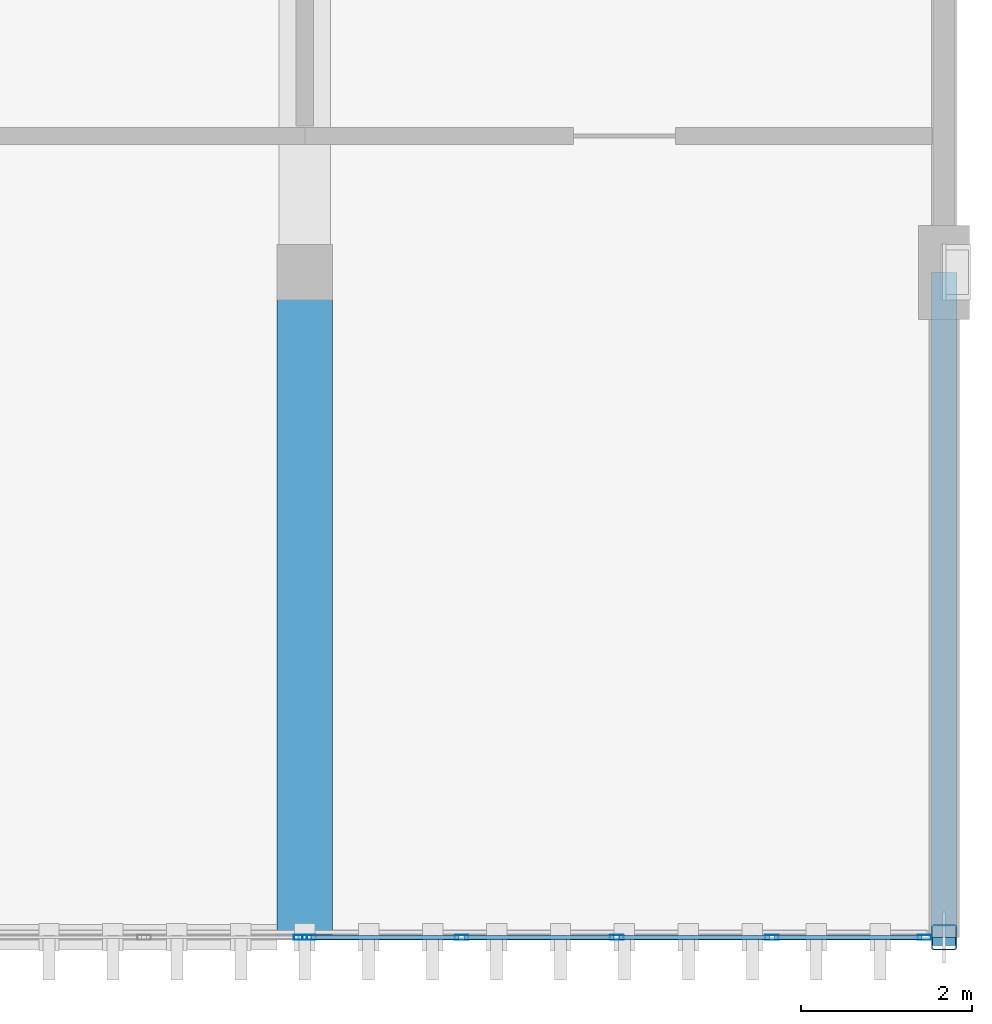
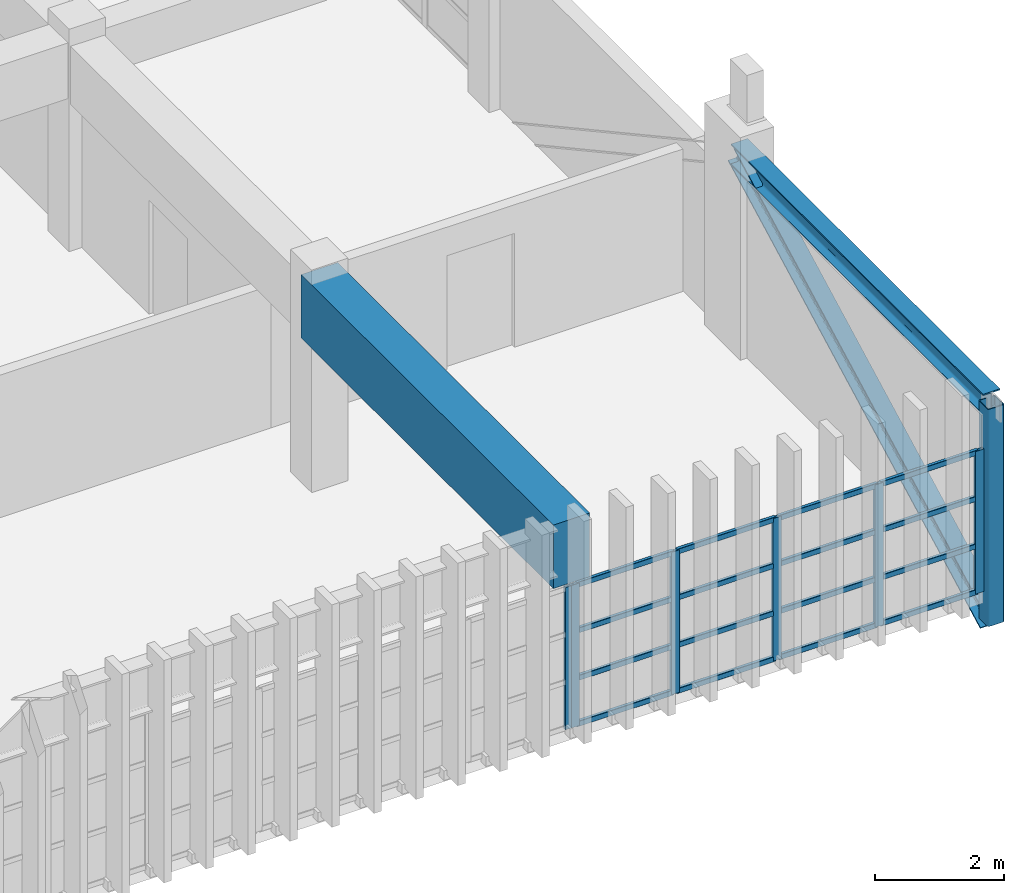
# One storey, part 17 of 51: 25 members, 1 beam, 2 elements without a shape of their own.
"""IFC4 building model written with IfcOpenShell, lengths in metres."""

from ifc_helpers import new_model, si_unit, direction, frame, origin, origin_2d, place, context, subcontext, project, spatial, rectangle, hollow_rectangle, i_section, extrude, material, material_profile, profile_set, type_object, element, aggregate, save


model = new_model("IFC4")

# Units and contexts
model_context = context("Model", 3, precision=1e-05, world=origin(), true_north=direction((0.0, 1.0)))
body_context = subcontext(model_context, "Body", "Model", "MODEL_VIEW")
ifc_project = project(units=[si_unit("LENGTHUNIT", "METRE"), si_unit("AREAUNIT", "SQUARE_METRE"), si_unit("VOLUMEUNIT", "CUBIC_METRE"), si_unit("PLANEANGLEUNIT", "RADIAN"), si_unit("MASSUNIT", "GRAM", prefix="KILO")], contexts=[model_context])

# Site, building, storey
site_placement = place(None, origin())
site = spatial("IfcSite", under=ifc_project, at=site_placement, CompositionType="ELEMENT")
building_placement = place(site_placement, origin())
building = spatial("IfcBuilding", under=site, at=building_placement, Name="Qasida Concert Hall", CompositionType="ELEMENT")
storey_placement = place(building_placement, frame((0.0, 0.0, 21.0)))
storey = spatial("IfcBuildingStorey", under=building, at=storey_placement, Name="L05", CompositionType="ELEMENT", Elevation=21.0)

# Beam
ifc_material_1 = material(Name="Concrete C50/60", Category="concrete")
ifc_material_profile_1 = material_profile(ifc_material_1, rectangle(XDim=0.64990234375, YDim=1.199951171875, at=origin_2d()), Name="RC 650x1200")
ifc_profile_set_1 = profile_set([ifc_material_profile_1], Name="Concrete C50/60")
beam_type = type_object("IfcBeamType", Name="BM-CG-1200", PredefinedType="USERDEFINED", material=ifc_profile_set_1)
beam_placement = place(storey_placement, frame((97.5, 22.5, 3.320068359375), z_axis=(0.0, -1.0, 0.0), x_axis=(1.0, 0.0, 0.0)))
element("IfcBeam", 1, at=beam_placement, inside=storey, type_object=beam_type, Name="Cantilever girder CG-030", ObjectType="GIRDER", PredefinedType="USERDEFINED", context=body_context, shape_type="SweptSolid", body=[
    extrude(rectangle(XDim=0.64990234375, YDim=1.199951171875, at=origin_2d()), origin(), (0.0, 0.0, 1.0), 7.800048828125),
])

# Members
ifc_material_2 = material(Name="Steel S355J2", Category="steel")
ifc_material_profile_2 = material_profile(ifc_material_2, i_section(OverallWidth=0.300048828125, OverallDepth=0.39990234375, WebThickness=0.013427734375, FlangeThickness=0.02392578125, FilletRadius=0.027099609375, at=origin_2d()), Name="HEB 400")
ifc_profile_set_2 = profile_set([ifc_material_profile_2], Name="Steel S355J2")
member_type_1 = type_object("IfcMemberType", Name="MB-CH1", PredefinedType="CHORD", material=ifc_profile_set_2)
member_1_placement = place(storey_placement, frame((105.0, 22.5, 3.5), z_axis=(0.0, -0.885160900298, -0.465285053041), x_axis=(1.0, 0.0, 0.0)))
element("IfcMember", 2, at=member_1_placement, inside=storey, type_object=member_type_1, Name="Wall truss diagonal WT-E-030", PredefinedType="CHORD", context=body_context, shape_type="SweptSolid", body=[
    extrude(i_section(OverallWidth=0.300048828125, OverallDepth=0.39990234375, WebThickness=0.013427734375, FlangeThickness=0.02392578125, FilletRadius=0.027099609375, at=origin_2d()), origin(), (0.0, 0.0, 1.0), 8.81201171875),
])
member_2_placement = place(storey_placement, frame((105.0, 14.699951171875, 3.5), z_axis=(0.0, 1.0, 0.0), x_axis=(-1.0, 0.0, 0.0)))
element("IfcMember", 3, at=member_2_placement, inside=storey, type_object=member_type_1, Name="Wall truss top chord WT-E-032", PredefinedType="CHORD", context=body_context, shape_type="SweptSolid", body=[
    extrude(i_section(OverallWidth=0.300048828125, OverallDepth=0.39990234375, WebThickness=0.013427734375, FlangeThickness=0.02392578125, FilletRadius=0.027099609375, at=origin_2d()), origin(), (0.0, 0.0, 1.0), 7.800048828125),
])

# Curtain wall, member
ifc_material_3 = material(Name="Architectural bronze-anodized aluminium and low-E glass", Category="aluminium")
curtain_wall_type = type_object("IfcCurtainWallType", Name="CW-05", PredefinedType="NOTDEFINED", material=ifc_material_3)
curtain_wall_1_placement = place(storey_placement, origin())
curtain_wall_1 = element("IfcCurtainWall", 4, at=curtain_wall_1_placement, inside=storey, type_object=curtain_wall_type, Name="L05 curtain wall CW-05 0034", PredefinedType="NOTDEFINED")
ifc_material_4 = material(Name="Architectural bronze-anodized aluminium EN AW-6063", Category="aluminium")
ifc_material_profile_3 = material_profile(ifc_material_4, hollow_rectangle(XDim=0.06005859375, YDim=0.159912109375, WallThickness=0.00390625, InnerFilletRadius=0.00390625, OuterFilletRadius=0.008056640625, at=origin_2d()), Name="CWM 160x60x4")
ifc_profile_set_3 = profile_set([ifc_material_profile_3], Name="Architectural bronze-anodized aluminium EN AW-6063")
member_type_2 = type_object("IfcMemberType", Name="MB-CWM-3", PredefinedType="MULLION", material=ifc_profile_set_3)
member_3_placement = place(storey_placement, frame((97.449951171875, 14.699951171875, 0.0), z_axis=(0.0, 0.0, 1.0), x_axis=(0.0, 1.0, 0.0)))
member_3 = element("IfcMember", 5, at=member_3_placement, type_object=member_type_2, Name="CW-05 mullion 5", PredefinedType="MULLION", context=body_context, shape_type="SweptSolid", body=[
    extrude(hollow_rectangle(XDim=0.06005859375, YDim=0.159912109375, WallThickness=0.00390625, InnerFilletRadius=0.00390625, OuterFilletRadius=0.008056640625, at=origin_2d()), origin(), (0.0, 0.0, 1.0), 2.68994140625),
])
aggregate(curtain_wall_1, [member_3])

# Curtain wall, members
curtain_wall_2_placement = place(storey_placement, origin())
curtain_wall_2 = element("IfcCurtainWall", 6, at=curtain_wall_2_placement, inside=storey, type_object=curtain_wall_type, Name="L05 curtain wall CW-05 0035", PredefinedType="NOTDEFINED")
member_4_placement = place(storey_placement, frame((97.550048828125, 14.699951171875, 0.0), z_axis=(0.0, 0.0, 1.0), x_axis=(0.0, 1.0, 0.0)))
member_4 = element("IfcMember", 7, at=member_4_placement, type_object=member_type_2, Name="CW-05 mullion 1", PredefinedType="MULLION", context=body_context, shape_type="SweptSolid", body=[
    extrude(hollow_rectangle(XDim=0.06005859375, YDim=0.159912109375, WallThickness=0.00390625, InnerFilletRadius=0.00390625, OuterFilletRadius=0.008056640625, at=origin_2d()), origin(), (0.0, 0.0, 1.0), 2.68994140625),
])
member_5_placement = place(storey_placement, frame((99.340087890625, 14.699951171875, 0.0), z_axis=(0.0, 0.0, 1.0), x_axis=(0.0, 1.0, 0.0)))
member_5 = element("IfcMember", 8, at=member_5_placement, type_object=member_type_2, Name="CW-05 mullion 2", PredefinedType="MULLION", context=body_context, shape_type="SweptSolid", body=[
    extrude(hollow_rectangle(XDim=0.06005859375, YDim=0.159912109375, WallThickness=0.00390625, InnerFilletRadius=0.00390625, OuterFilletRadius=0.008056640625, at=origin_2d()), origin(), (0.0, 0.0, 1.0), 2.68994140625),
])
member_6_placement = place(storey_placement, frame((101.159912109375, 14.699951171875, 0.0), z_axis=(0.0, 0.0, 1.0), x_axis=(0.0, 1.0, 0.0)))
member_6 = element("IfcMember", 9, at=member_6_placement, type_object=member_type_2, Name="CW-05 mullion 3", PredefinedType="MULLION", context=body_context, shape_type="SweptSolid", body=[
    extrude(hollow_rectangle(XDim=0.06005859375, YDim=0.159912109375, WallThickness=0.00390625, InnerFilletRadius=0.00390625, OuterFilletRadius=0.008056640625, at=origin_2d()), origin(), (0.0, 0.0, 1.0), 2.68994140625),
])
member_7_placement = place(storey_placement, frame((102.97998046875, 14.699951171875, 0.0), z_axis=(0.0, 0.0, 1.0), x_axis=(0.0, 1.0, 0.0)))
member_7 = element("IfcMember", 10, at=member_7_placement, type_object=member_type_2, Name="CW-05 mullion 4", PredefinedType="MULLION", context=body_context, shape_type="SweptSolid", body=[
    extrude(hollow_rectangle(XDim=0.06005859375, YDim=0.159912109375, WallThickness=0.00390625, InnerFilletRadius=0.00390625, OuterFilletRadius=0.008056640625, at=origin_2d()), origin(), (0.0, 0.0, 1.0), 2.68994140625),
])
member_8_placement = place(storey_placement, frame((104.77001953125, 14.699951171875, 0.0), z_axis=(0.0, 0.0, 1.0), x_axis=(0.0, 1.0, 0.0)))
member_8 = element("IfcMember", 11, at=member_8_placement, type_object=member_type_2, Name="CW-05 mullion 5", PredefinedType="MULLION", context=body_context, shape_type="SweptSolid", body=[
    extrude(hollow_rectangle(XDim=0.06005859375, YDim=0.159912109375, WallThickness=0.00390625, InnerFilletRadius=0.00390625, OuterFilletRadius=0.008056640625, at=origin_2d()), origin(), (0.0, 0.0, 1.0), 2.68994140625),
])
ifc_material_profile_4 = material_profile(ifc_material_4, hollow_rectangle(XDim=0.06005859375, YDim=0.10009765625, WallThickness=0.00341796875, InnerFilletRadius=0.00341796875, OuterFilletRadius=0.007080078125, at=origin_2d()), Name="CWT 100x60x3.5")
ifc_profile_set_4 = profile_set([ifc_material_profile_4], Name="Architectural bronze-anodized aluminium EN AW-6063")
member_type_3 = type_object("IfcMemberType", Name="MB-CWT-3", PredefinedType="USERDEFINED", material=ifc_profile_set_4)
member_9_placement = place(storey_placement, frame((97.580078125, 14.699951171875, 0.030029296875), z_axis=(1.0, 0.0, 0.0), x_axis=(0.0, 1.0, 0.0)))
member_9 = element("IfcMember", 12, at=member_9_placement, type_object=member_type_3, Name="CW-05 transom 1.1", ObjectType="TRANSOM", PredefinedType="USERDEFINED", context=body_context, shape_type="SweptSolid", body=[
    extrude(hollow_rectangle(XDim=0.06005859375, YDim=0.10009765625, WallThickness=0.00341796875, InnerFilletRadius=0.00341796875, OuterFilletRadius=0.007080078125, at=origin_2d()), origin(), (0.0, 0.0, 1.0), 1.72998046875),
])
member_10_placement = place(storey_placement, frame((97.580078125, 14.699951171875, 0.896728515625), z_axis=(1.0, 0.0, 0.0), x_axis=(0.0, 1.0, 0.0)))
member_10 = element("IfcMember", 13, at=member_10_placement, type_object=member_type_3, Name="CW-05 transom 1.2", ObjectType="TRANSOM", PredefinedType="USERDEFINED", context=body_context, shape_type="SweptSolid", body=[
    extrude(hollow_rectangle(XDim=0.06005859375, YDim=0.10009765625, WallThickness=0.00341796875, InnerFilletRadius=0.00341796875, OuterFilletRadius=0.007080078125, at=origin_2d()), origin(), (0.0, 0.0, 1.0), 1.72998046875),
])
member_11_placement = place(storey_placement, frame((97.580078125, 14.699951171875, 1.793212890625), z_axis=(1.0, 0.0, 0.0), x_axis=(0.0, 1.0, 0.0)))
member_11 = element("IfcMember", 14, at=member_11_placement, type_object=member_type_3, Name="CW-05 transom 1.3", ObjectType="TRANSOM", PredefinedType="USERDEFINED", context=body_context, shape_type="SweptSolid", body=[
    extrude(hollow_rectangle(XDim=0.06005859375, YDim=0.10009765625, WallThickness=0.00341796875, InnerFilletRadius=0.00341796875, OuterFilletRadius=0.007080078125, at=origin_2d()), origin(), (0.0, 0.0, 1.0), 1.72998046875),
])
member_12_placement = place(storey_placement, frame((97.580078125, 14.699951171875, 2.659912109375), z_axis=(1.0, 0.0, 0.0), x_axis=(0.0, 1.0, 0.0)))
member_12 = element("IfcMember", 15, at=member_12_placement, type_object=member_type_3, Name="CW-05 transom 1.4", ObjectType="TRANSOM", PredefinedType="USERDEFINED", context=body_context, shape_type="SweptSolid", body=[
    extrude(hollow_rectangle(XDim=0.06005859375, YDim=0.10009765625, WallThickness=0.00341796875, InnerFilletRadius=0.00341796875, OuterFilletRadius=0.007080078125, at=origin_2d()), origin(), (0.0, 0.0, 1.0), 1.72998046875),
])
member_13_placement = place(storey_placement, frame((99.3701171875, 14.699951171875, 0.030029296875), z_axis=(1.0, 0.0, 0.0), x_axis=(0.0, 1.0, 0.0)))
member_13 = element("IfcMember", 16, at=member_13_placement, type_object=member_type_3, Name="CW-05 transom 2.1", ObjectType="TRANSOM", PredefinedType="USERDEFINED", context=body_context, shape_type="SweptSolid", body=[
    extrude(hollow_rectangle(XDim=0.06005859375, YDim=0.10009765625, WallThickness=0.00341796875, InnerFilletRadius=0.00341796875, OuterFilletRadius=0.007080078125, at=origin_2d()), origin(), (0.0, 0.0, 1.0), 1.759765625),
])
member_14_placement = place(storey_placement, frame((99.3701171875, 14.699951171875, 0.896728515625), z_axis=(1.0, 0.0, 0.0), x_axis=(0.0, 1.0, 0.0)))
member_14 = element("IfcMember", 17, at=member_14_placement, type_object=member_type_3, Name="CW-05 transom 2.2", ObjectType="TRANSOM", PredefinedType="USERDEFINED", context=body_context, shape_type="SweptSolid", body=[
    extrude(hollow_rectangle(XDim=0.06005859375, YDim=0.10009765625, WallThickness=0.00341796875, InnerFilletRadius=0.00341796875, OuterFilletRadius=0.007080078125, at=origin_2d()), origin(), (0.0, 0.0, 1.0), 1.759765625),
])
member_15_placement = place(storey_placement, frame((99.3701171875, 14.699951171875, 1.793212890625), z_axis=(1.0, 0.0, 0.0), x_axis=(0.0, 1.0, 0.0)))
member_15 = element("IfcMember", 18, at=member_15_placement, type_object=member_type_3, Name="CW-05 transom 2.3", ObjectType="TRANSOM", PredefinedType="USERDEFINED", context=body_context, shape_type="SweptSolid", body=[
    extrude(hollow_rectangle(XDim=0.06005859375, YDim=0.10009765625, WallThickness=0.00341796875, InnerFilletRadius=0.00341796875, OuterFilletRadius=0.007080078125, at=origin_2d()), origin(), (0.0, 0.0, 1.0), 1.759765625),
])
member_16_placement = place(storey_placement, frame((99.3701171875, 14.699951171875, 2.659912109375), z_axis=(1.0, 0.0, 0.0), x_axis=(0.0, 1.0, 0.0)))
member_16 = element("IfcMember", 19, at=member_16_placement, type_object=member_type_3, Name="CW-05 transom 2.4", ObjectType="TRANSOM", PredefinedType="USERDEFINED", context=body_context, shape_type="SweptSolid", body=[
    extrude(hollow_rectangle(XDim=0.06005859375, YDim=0.10009765625, WallThickness=0.00341796875, InnerFilletRadius=0.00341796875, OuterFilletRadius=0.007080078125, at=origin_2d()), origin(), (0.0, 0.0, 1.0), 1.759765625),
])
member_17_placement = place(storey_placement, frame((101.18994140625, 14.699951171875, 0.030029296875), z_axis=(1.0, 0.0, 0.0), x_axis=(0.0, 1.0, 0.0)))
member_17 = element("IfcMember", 20, at=member_17_placement, type_object=member_type_3, Name="CW-05 transom 3.1", ObjectType="TRANSOM", PredefinedType="USERDEFINED", context=body_context, shape_type="SweptSolid", body=[
    extrude(hollow_rectangle(XDim=0.06005859375, YDim=0.10009765625, WallThickness=0.00341796875, InnerFilletRadius=0.00341796875, OuterFilletRadius=0.007080078125, at=origin_2d()), origin(), (0.0, 0.0, 1.0), 1.760009765625),
])
member_18_placement = place(storey_placement, frame((101.18994140625, 14.699951171875, 0.896728515625), z_axis=(1.0, 0.0, 0.0), x_axis=(0.0, 1.0, 0.0)))
member_18 = element("IfcMember", 21, at=member_18_placement, type_object=member_type_3, Name="CW-05 transom 3.2", ObjectType="TRANSOM", PredefinedType="USERDEFINED", context=body_context, shape_type="SweptSolid", body=[
    extrude(hollow_rectangle(XDim=0.06005859375, YDim=0.10009765625, WallThickness=0.00341796875, InnerFilletRadius=0.00341796875, OuterFilletRadius=0.007080078125, at=origin_2d()), origin(), (0.0, 0.0, 1.0), 1.760009765625),
])
member_19_placement = place(storey_placement, frame((101.18994140625, 14.699951171875, 1.793212890625), z_axis=(1.0, 0.0, 0.0), x_axis=(0.0, 1.0, 0.0)))
member_19 = element("IfcMember", 22, at=member_19_placement, type_object=member_type_3, Name="CW-05 transom 3.3", ObjectType="TRANSOM", PredefinedType="USERDEFINED", context=body_context, shape_type="SweptSolid", body=[
    extrude(hollow_rectangle(XDim=0.06005859375, YDim=0.10009765625, WallThickness=0.00341796875, InnerFilletRadius=0.00341796875, OuterFilletRadius=0.007080078125, at=origin_2d()), origin(), (0.0, 0.0, 1.0), 1.760009765625),
])
member_20_placement = place(storey_placement, frame((101.18994140625, 14.699951171875, 2.659912109375), z_axis=(1.0, 0.0, 0.0), x_axis=(0.0, 1.0, 0.0)))
member_20 = element("IfcMember", 23, at=member_20_placement, type_object=member_type_3, Name="CW-05 transom 3.4", ObjectType="TRANSOM", PredefinedType="USERDEFINED", context=body_context, shape_type="SweptSolid", body=[
    extrude(hollow_rectangle(XDim=0.06005859375, YDim=0.10009765625, WallThickness=0.00341796875, InnerFilletRadius=0.00341796875, OuterFilletRadius=0.007080078125, at=origin_2d()), origin(), (0.0, 0.0, 1.0), 1.760009765625),
])
member_21_placement = place(storey_placement, frame((103.010009765625, 14.699951171875, 0.030029296875), z_axis=(1.0, 0.0, 0.0), x_axis=(0.0, 1.0, 0.0)))
member_21 = element("IfcMember", 24, at=member_21_placement, type_object=member_type_3, Name="CW-05 transom 4.1", ObjectType="TRANSOM", PredefinedType="USERDEFINED", context=body_context, shape_type="SweptSolid", body=[
    extrude(hollow_rectangle(XDim=0.06005859375, YDim=0.10009765625, WallThickness=0.00341796875, InnerFilletRadius=0.00341796875, OuterFilletRadius=0.007080078125, at=origin_2d()), origin(), (0.0, 0.0, 1.0), 1.72998046875),
])
member_22_placement = place(storey_placement, frame((103.010009765625, 14.699951171875, 0.896728515625), z_axis=(1.0, 0.0, 0.0), x_axis=(0.0, 1.0, 0.0)))
member_22 = element("IfcMember", 25, at=member_22_placement, type_object=member_type_3, Name="CW-05 transom 4.2", ObjectType="TRANSOM", PredefinedType="USERDEFINED", context=body_context, shape_type="SweptSolid", body=[
    extrude(hollow_rectangle(XDim=0.06005859375, YDim=0.10009765625, WallThickness=0.00341796875, InnerFilletRadius=0.00341796875, OuterFilletRadius=0.007080078125, at=origin_2d()), origin(), (0.0, 0.0, 1.0), 1.72998046875),
])
member_23_placement = place(storey_placement, frame((103.010009765625, 14.699951171875, 1.793212890625), z_axis=(1.0, 0.0, 0.0), x_axis=(0.0, 1.0, 0.0)))
member_23 = element("IfcMember", 26, at=member_23_placement, type_object=member_type_3, Name="CW-05 transom 4.3", ObjectType="TRANSOM", PredefinedType="USERDEFINED", context=body_context, shape_type="SweptSolid", body=[
    extrude(hollow_rectangle(XDim=0.06005859375, YDim=0.10009765625, WallThickness=0.00341796875, InnerFilletRadius=0.00341796875, OuterFilletRadius=0.007080078125, at=origin_2d()), origin(), (0.0, 0.0, 1.0), 1.72998046875),
])
member_24_placement = place(storey_placement, frame((103.010009765625, 14.699951171875, 2.659912109375), z_axis=(1.0, 0.0, 0.0), x_axis=(0.0, 1.0, 0.0)))
member_24 = element("IfcMember", 27, at=member_24_placement, type_object=member_type_3, Name="CW-05 transom 4.4", ObjectType="TRANSOM", PredefinedType="USERDEFINED", context=body_context, shape_type="SweptSolid", body=[
    extrude(hollow_rectangle(XDim=0.06005859375, YDim=0.10009765625, WallThickness=0.00341796875, InnerFilletRadius=0.00341796875, OuterFilletRadius=0.007080078125, at=origin_2d()), origin(), (0.0, 0.0, 1.0), 1.72998046875),
])
aggregate(curtain_wall_2, [member_4, member_5, member_6, member_7, member_8, member_9, member_10, member_11, member_12, member_13, member_14, member_15, member_16, member_17, member_18, member_19, member_20, member_21, member_22, member_23, member_24])

# Member
ifc_material_profile_5 = material_profile(ifc_material_2, hollow_rectangle(XDim=0.300048828125, YDim=0.300048828125, WallThickness=0.01611328125, InnerFilletRadius=0.01611328125, OuterFilletRadius=0.031982421875, at=origin_2d()), Name="SHS 300x300x16")
ifc_profile_set_5 = profile_set([ifc_material_profile_5], Name="Steel S355J2")
member_type_4 = type_object("IfcMemberType", Name="MB-ST4", PredefinedType="STRUT", material=ifc_profile_set_5)
member_25_placement = place(storey_placement, frame((105.0, 14.699951171875, -0.60009765625), z_axis=(0.0, 0.0, 1.0), x_axis=(1.0, 0.0, 0.0)))
element("IfcMember", 28, at=member_25_placement, inside=storey, type_object=member_type_4, Name="Wall truss post WT-E-029", PredefinedType="STRUT", context=body_context, shape_type="SweptSolid", body=[
    extrude(hollow_rectangle(XDim=0.300048828125, YDim=0.300048828125, WallThickness=0.01611328125, InnerFilletRadius=0.01611328125, OuterFilletRadius=0.031982421875, at=origin_2d()), origin(), (0.0, 0.0, 1.0), 4.10009765625),
])

save(model, "model.ifc")
